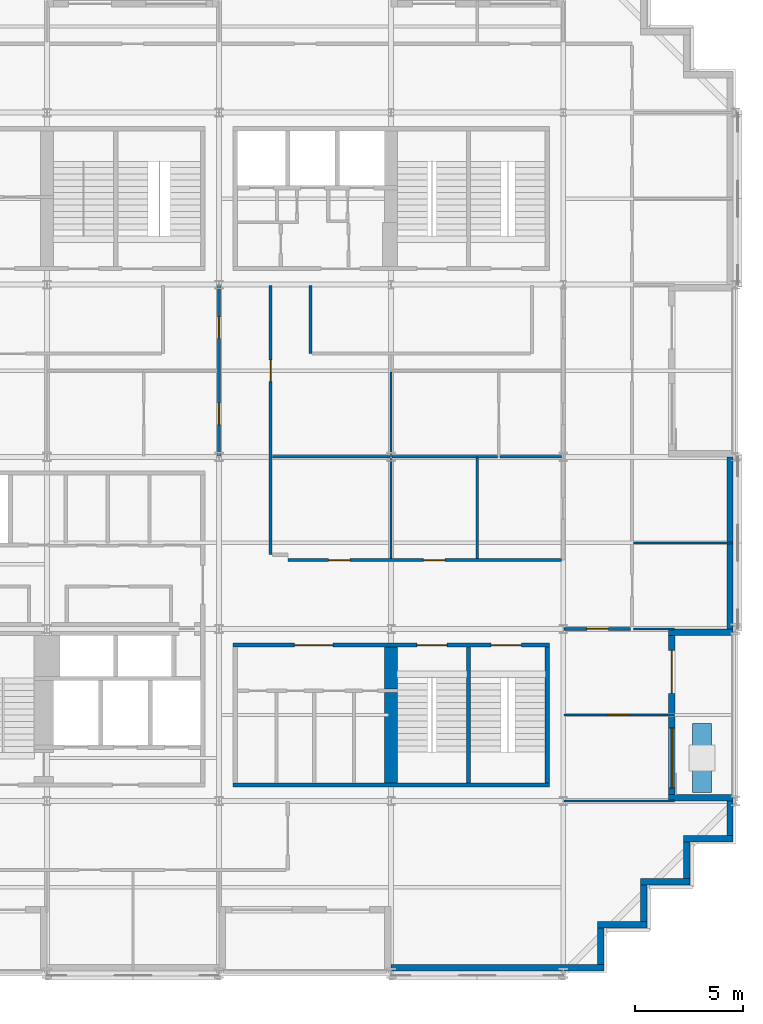
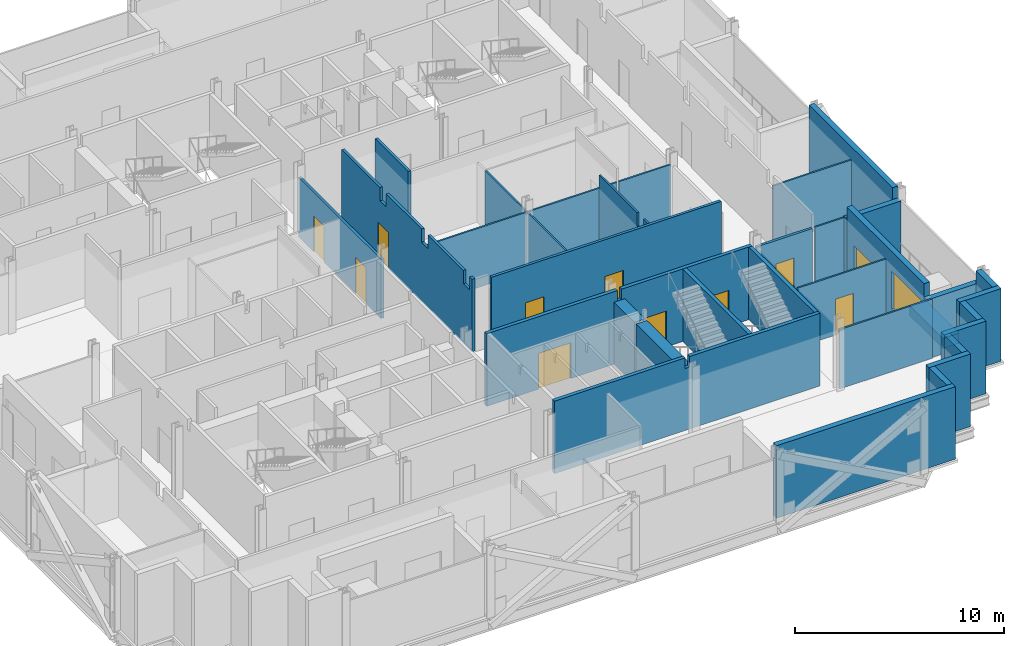
# One storey, part 8 of 15: 35 walls, 11 doors, 1 window, 12 openings.
"""IFC4 building model written with IfcOpenShell, lengths in metres."""

from ifc_helpers import new_model, si_unit, direction, frame, frame_2d, origin, place, context, subcontext, project, spatial, polyline, rectangle, outline, extrude, material, layer, layer_set, type_object, element, fill, save


model = new_model("IFC4")

# Units and contexts
model_context = context("Model", 3, precision=1e-05, world=origin(), true_north=direction((0.0, 1.0)))
body_context = subcontext(model_context, "Body", "Model", "MODEL_VIEW")
ifc_project = project(units=[si_unit("LENGTHUNIT", "METRE"), si_unit("AREAUNIT", "SQUARE_METRE"), si_unit("VOLUMEUNIT", "CUBIC_METRE"), si_unit("PLANEANGLEUNIT", "RADIAN"), si_unit("MASSUNIT", "GRAM", prefix="KILO")], contexts=[model_context])

# Site, building, storey
site_placement = place(None, origin())
site = spatial("IfcSite", under=ifc_project, at=site_placement, CompositionType="ELEMENT")
building_placement = place(site_placement, origin())
building = spatial("IfcBuilding", under=site, at=building_placement, Name="Immortelle Media Tower", CompositionType="ELEMENT")
storey_placement = place(building_placement, frame((0.0, 0.0, 87.60009765625)))
storey = spatial("IfcBuildingStorey", under=building, at=storey_placement, Name="L16", CompositionType="ELEMENT", Elevation=87.60009765625)

# Wall, opening, door
ifc_material_1 = material(Name="Fire-rated gypsum board", Category="gypsum")
ifc_layer_1 = layer(ifc_material_1, 0.012451171875)
ifc_material_2 = material(Name="Steel ASTM A653 SS Gr 50 stud frame with mineral wool", Category="steel")
ifc_layer_2 = layer(ifc_material_2, 0.125)
ifc_layer_3 = layer(ifc_material_1, 0.012451171875)
ifc_layer_set_1 = layer_set([ifc_layer_1, ifc_layer_2, ifc_layer_3], Name="Steel ASTM A653 SS Gr 50 stud frame with mineral wool")
wall_type_1 = type_object("IfcWallType", Name="Corridor wall 150", PredefinedType="PARTITIONING", material=ifc_layer_set_1)
wall_1_placement = place(storey_placement, frame((40.030029296875, 16.0, 0.0), z_axis=(0.0, 0.0, 1.0), x_axis=(1.0, 0.0, 0.0)))
wall_1 = element("IfcWall", 1, at=wall_1_placement, inside=storey, type_object=wall_type_1, Name="Partition L16-011", PredefinedType="PARTITIONING", context=body_context, shape_type="SweptSolid", body=[
    extrude(rectangle(XDim=3.094970703125, YDim=0.14990234375, at=frame_2d((1.54736328125, 0.0))), origin(), (0.0, 0.0, 1.0), 3.469970703125),
])
opening_1_placement = place(wall_1_placement, frame((2.070068359375, 0.0, 0.0), z_axis=(0.0, 0.0, 1.0), x_axis=(-1.0, 0.0, 0.0)))
opening_1 = element("IfcOpeningElement", 2, at=opening_1_placement, cuts=wall_1, Name="Opening N5-F006", PredefinedType="OPENING", context=body_context, shape_type="SweptSolid", body=[
    extrude(rectangle(XDim=1.0, YDim=2.10009765625, at=frame_2d((0.5, 1.050048828125))), frame((0.0, 0.0849609375, 0.0), z_axis=(0.0, -1.0, 0.0), x_axis=(1.0, 0.0, 0.0)), (0.0, 0.0, 1.0), 0.169921875),
])
ifc_material_3 = material(Name="Timber veneered door leaf, galvanised steel frame ASTM A653", Category="steel")
door_type_1 = type_object("IfcDoorType", Name="Room door 1000 x 2100", OperationType="NOTDEFINED", PredefinedType="DOOR", material=ifc_material_3)
door_1_placement = place(opening_1_placement, origin())
door_1 = element("IfcDoor", 3, at=door_1_placement, inside=storey, type_object=door_type_1, Name="Door N5-F006", OperationType="SINGLE_SWING_RIGHT", OverallHeight=2.10009765625, OverallWidth=1.0, PredefinedType="DOOR", context=body_context, shape_type="SweptSolid", body=[
    extrude(rectangle(XDim=1.0, YDim=2.10009765625, at=frame_2d((0.5, 1.050048828125))), frame((0.0, 0.02490234375, 0.0), z_axis=(0.0, -1.0, 0.0), x_axis=(1.0, 0.0, 0.0)), (0.0, 0.0, 1.0), 0.050048828125),
])
fill(opening_1, door_1)

# Wall, openings, doors
wall_2_placement = place(storey_placement, frame((27.199951171875, 19.199951171875, 0.0), z_axis=(0.0, 0.0, 1.0), x_axis=(1.0, 0.0, 0.0)))
wall_2 = element("IfcWall", 4, at=wall_2_placement, inside=storey, type_object=wall_type_1, Name="Partition L16-014", PredefinedType="PARTITIONING", context=body_context, shape_type="SweptSolid", body=[
    extrude(rectangle(XDim=12.72509765625, YDim=0.14990234375, at=frame_2d((6.362548828125, 0.0))), origin(), (0.0, 0.0, 1.0), 4.25),
])
opening_2_placement = place(wall_2_placement, frame((1.89990234375, 0.0, 0.0)))
opening_2 = element("IfcOpeningElement", 5, at=opening_2_placement, cuts=wall_2, Name="Opening N5-F009", PredefinedType="OPENING", context=body_context, shape_type="SweptSolid", body=[
    extrude(rectangle(XDim=1.0, YDim=2.10009765625, at=frame_2d((0.5, 1.050048828125))), frame((0.0, 0.0849609375, 0.0), z_axis=(0.0, -1.0, 0.0), x_axis=(1.0, 0.0, 0.0)), (0.0, 0.0, 1.0), 0.169921875),
])
opening_3_placement = place(wall_2_placement, frame((6.300048828125, 0.0, 0.0)))
opening_3 = element("IfcOpeningElement", 6, at=opening_3_placement, cuts=wall_2, Name="Opening N5-F010", PredefinedType="OPENING", context=body_context, shape_type="SweptSolid", body=[
    extrude(rectangle(XDim=1.0, YDim=2.10009765625, at=frame_2d((0.5, 1.050048828125))), frame((0.0, 0.0849609375, 0.0), z_axis=(0.0, -1.0, 0.0), x_axis=(1.0, 0.0, 0.0)), (0.0, 0.0, 1.0), 0.169921875),
])
door_2_placement = place(opening_2_placement, origin())
door_2 = element("IfcDoor", 7, at=door_2_placement, inside=storey, type_object=door_type_1, Name="Door N5-F009", OperationType="SINGLE_SWING_RIGHT", OverallHeight=2.10009765625, OverallWidth=1.0, PredefinedType="DOOR", context=body_context, shape_type="SweptSolid", body=[
    extrude(rectangle(XDim=1.0, YDim=2.10009765625, at=frame_2d((0.5, 1.050048828125))), frame((0.0, 0.02490234375, 0.0), z_axis=(0.0, -1.0, 0.0), x_axis=(1.0, 0.0, 0.0)), (0.0, 0.0, 1.0), 0.050048828125),
])
fill(opening_2, door_2)
door_3_placement = place(opening_3_placement, origin())
door_3 = element("IfcDoor", 8, at=door_3_placement, inside=storey, type_object=door_type_1, Name="Door N5-F010", OperationType="SINGLE_SWING_RIGHT", OverallHeight=2.10009765625, OverallWidth=1.0, PredefinedType="DOOR", context=body_context, shape_type="SweptSolid", body=[
    extrude(rectangle(XDim=1.0, YDim=2.10009765625, at=frame_2d((0.5, 1.050048828125))), frame((0.0, 0.02490234375, 0.0), z_axis=(0.0, -1.0, 0.0), x_axis=(1.0, 0.0, 0.0)), (0.0, 0.0, 1.0), 0.050048828125),
])
fill(opening_3, door_3)

# Wall, opening, door
wall_3_placement = place(storey_placement, frame((26.39990234375, 19.449951171875, 0.0), z_axis=(0.0, 0.0, 1.0), x_axis=(0.0, 1.0, 0.0)))
wall_3 = element("IfcWall", 9, at=wall_3_placement, inside=storey, type_object=wall_type_1, Name="Partition L16-020", PredefinedType="PARTITIONING", context=body_context, shape_type="SweptSolid", body=[
    extrude(outline(polyline([(0.0, 0.0), (12.52001953125, 0.0), (12.52001953125, 4.25), (8.85009765625, 4.25), (8.847900390625, 3.469970703125), (8.251953125, 3.469970703125), (8.25, 4.25), (4.85009765625, 4.25), (4.847900390625, 3.469970703125), (4.251953125, 3.469970703125), (4.25, 4.25), (0.85009765625, 4.25), (0.847900390625, 3.469970703125), (0.251953125, 3.469970703125), (0.25, 4.25), (0.0, 4.25), (0.0, 0.0)])), frame((0.0, 0.074951171875, 0.0), z_axis=(0.0, -1.0, 0.0), x_axis=(1.0, 0.0, 0.0)), (0.0, 0.0, 1.0), 0.14990234375),
])
opening_4_placement = place(wall_3_placement, frame((9.050048828125, 0.0, 0.0), z_axis=(0.0, 0.0, 1.0), x_axis=(-1.0, 0.0, 0.0)))
opening_4 = element("IfcOpeningElement", 10, at=opening_4_placement, cuts=wall_3, Name="Opening N5-F020", PredefinedType="OPENING", context=body_context, shape_type="SweptSolid", body=[
    extrude(rectangle(XDim=1.0, YDim=2.10009765625, at=frame_2d((0.5, 1.050048828125))), frame((0.0, 0.0849609375, 0.0), z_axis=(0.0, -1.0, 0.0), x_axis=(1.0, 0.0, 0.0)), (0.0, 0.0, 1.0), 0.169921875),
])
door_4_placement = place(opening_4_placement, origin())
door_4 = element("IfcDoor", 11, at=door_4_placement, inside=storey, type_object=door_type_1, Name="Door N5-F020", OperationType="SINGLE_SWING_RIGHT", OverallHeight=2.10009765625, OverallWidth=1.0, PredefinedType="DOOR", context=body_context, shape_type="SweptSolid", body=[
    extrude(rectangle(XDim=1.0, YDim=2.10009765625, at=frame_2d((0.5, 1.050048828125))), frame((0.0, 0.02490234375, 0.0), z_axis=(0.0, -1.0, 0.0), x_axis=(1.0, 0.0, 0.0)), (0.0, 0.0, 1.0), 0.050048828125),
])
fill(opening_4, door_4)

# Wall, openings, doors
wall_4_placement = place(storey_placement, frame((24.0, 24.030029296875, 0.0), z_axis=(0.0, 0.0, 1.0), x_axis=(0.0, 1.0, 0.0)))
wall_4 = element("IfcWall", 12, at=wall_4_placement, inside=storey, type_object=wall_type_1, Name="Partition L16-031", PredefinedType="PARTITIONING", context=body_context, shape_type="SweptSolid", body=[
    extrude(rectangle(XDim=7.93994140625, YDim=0.14990234375, at=frame_2d((3.969970703125, 0.0))), origin(), (0.0, 0.0, 1.0), 3.469970703125),
])
opening_5_placement = place(wall_4_placement, frame((1.469970703125, 0.0, 0.0)))
opening_5 = element("IfcOpeningElement", 13, at=opening_5_placement, cuts=wall_4, Name="Opening N5-F017", PredefinedType="OPENING", context=body_context, shape_type="SweptSolid", body=[
    extrude(rectangle(XDim=1.0, YDim=2.10009765625, at=frame_2d((0.5, 1.050048828125))), frame((0.0, 0.0849609375, 0.0), z_axis=(0.0, -1.0, 0.0), x_axis=(1.0, 0.0, 0.0)), (0.0, 0.0, 1.0), 0.169921875),
])
opening_6_placement = place(wall_4_placement, frame((5.469970703125, 0.0, 0.0)))
opening_6 = element("IfcOpeningElement", 14, at=opening_6_placement, cuts=wall_4, Name="Opening N5-F019", PredefinedType="OPENING", context=body_context, shape_type="SweptSolid", body=[
    extrude(rectangle(XDim=1.0, YDim=2.10009765625, at=frame_2d((0.5, 1.050048828125))), frame((0.0, 0.0849609375, 0.0), z_axis=(0.0, -1.0, 0.0), x_axis=(1.0, 0.0, 0.0)), (0.0, 0.0, 1.0), 0.169921875),
])
door_5_placement = place(opening_5_placement, origin())
door_5 = element("IfcDoor", 15, at=door_5_placement, inside=storey, type_object=door_type_1, Name="Door N5-F017", OperationType="SINGLE_SWING_LEFT", OverallHeight=2.10009765625, OverallWidth=1.0, PredefinedType="DOOR", context=body_context, shape_type="SweptSolid", body=[
    extrude(rectangle(XDim=1.0, YDim=2.10009765625, at=frame_2d((0.5, 1.050048828125))), frame((0.0, 0.02490234375, 0.0), z_axis=(0.0, -1.0, 0.0), x_axis=(1.0, 0.0, 0.0)), (0.0, 0.0, 1.0), 0.050048828125),
])
fill(opening_5, door_5)
door_6_placement = place(opening_6_placement, origin())
door_6 = element("IfcDoor", 16, at=door_6_placement, inside=storey, type_object=door_type_1, Name="Door N5-F019", OperationType="SINGLE_SWING_LEFT", OverallHeight=2.10009765625, OverallWidth=1.0, PredefinedType="DOOR", context=body_context, shape_type="SweptSolid", body=[
    extrude(rectangle(XDim=1.0, YDim=2.10009765625, at=frame_2d((0.5, 1.050048828125))), frame((0.0, 0.02490234375, 0.0), z_axis=(0.0, -1.0, 0.0), x_axis=(1.0, 0.0, 0.0)), (0.0, 0.0, 1.0), 0.050048828125),
])
fill(opening_6, door_6)

# Walls
wall_5_placement = place(storey_placement, frame((28.25, 28.800048828125, 0.0), z_axis=(0.0, 0.0, 1.0), x_axis=(0.0, 1.0, 0.0)))
element("IfcWall", 17, at=wall_5_placement, inside=storey, type_object=wall_type_1, Name="Partition L16-042", PredefinedType="PARTITIONING", context=body_context, shape_type="SweptSolid", body=[
    extrude(rectangle(XDim=3.169921875, YDim=0.14990234375, at=frame_2d((1.5849609375, 0.0))), origin(), (0.0, 0.0, 1.0), 4.25),
])
ifc_material_4 = material(Name="Pale aluminium cladding panel", Category="aluminium")
ifc_layer_4 = layer(ifc_material_4, 0.030029296875)
ifc_layer_5 = layer(ifc_material_2, 0.257568359375)
ifc_material_5 = material(Name="Moisture-resistant gypsum board", Category="gypsum")
ifc_layer_6 = layer(ifc_material_5, 0.012451171875)
ifc_layer_set_2 = layer_set([ifc_layer_4, ifc_layer_5, ifc_layer_6], Name="Steel ASTM A653 SS Gr 50 stud frame with mineral wool")
wall_type_2 = type_object("IfcWallType", Name="Facade wall 300", PredefinedType="SOLIDWALL", material=ifc_layer_set_2)
wall_6_placement = place(storey_placement, frame((32.0, 0.25, 0.0), z_axis=(0.0, 0.0, 1.0), x_axis=(1.0, 0.0, 0.0)))
element("IfcWall", 18, at=wall_6_placement, inside=storey, type_object=wall_type_2, Name="Facade wall L16 S7", PredefinedType="SOLIDWALL", context=body_context, shape_type="SweptSolid", body=[
    extrude(rectangle(XDim=9.89990234375, YDim=0.300048828125, at=frame_2d((4.949951171875, 0.0))), origin(), (0.0, 0.0, 1.0), 4.25),
])
wall_7_placement = place(storey_placement, frame((41.75, 0.39990234375, 0.0), z_axis=(0.0, 0.0, 1.0), x_axis=(0.0, 1.0, 0.0)))
element("IfcWall", 19, at=wall_7_placement, inside=storey, type_object=wall_type_2, Name="Facade wall L16 E8", PredefinedType="SOLIDWALL", context=body_context, shape_type="SweptSolid", body=[
    extrude(rectangle(XDim=1.7001953125, YDim=0.300048828125, at=frame_2d((0.85009765625, 0.0))), origin(), (0.0, 0.0, 1.0), 4.25),
])
wall_8_placement = place(storey_placement, frame((41.60009765625, 2.25, 0.0), z_axis=(0.0, 0.0, 1.0), x_axis=(1.0, 0.0, 0.0)))
element("IfcWall", 20, at=wall_8_placement, inside=storey, type_object=wall_type_2, Name="Facade wall L16 S9", PredefinedType="SOLIDWALL", context=body_context, shape_type="SweptSolid", body=[
    extrude(rectangle(XDim=2.2998046875, YDim=0.300048828125, at=frame_2d((1.14990234375, 0.0))), origin(), (0.0, 0.0, 1.0), 4.25),
])
wall_9_placement = place(storey_placement, frame((43.75, 2.39990234375, 0.0), z_axis=(0.0, 0.0, 1.0), x_axis=(0.0, 1.0, 0.0)))
element("IfcWall", 21, at=wall_9_placement, inside=storey, type_object=wall_type_2, Name="Facade wall L16 E10", PredefinedType="SOLIDWALL", context=body_context, shape_type="SweptSolid", body=[
    extrude(rectangle(XDim=1.7001953125, YDim=0.300048828125, at=frame_2d((0.85009765625, 0.0))), origin(), (0.0, 0.0, 1.0), 4.25),
])
wall_10_placement = place(storey_placement, frame((43.60009765625, 4.25, 0.0), z_axis=(0.0, 0.0, 1.0), x_axis=(1.0, 0.0, 0.0)))
element("IfcWall", 22, at=wall_10_placement, inside=storey, type_object=wall_type_2, Name="Facade wall L16 S11", PredefinedType="SOLIDWALL", context=body_context, shape_type="SweptSolid", body=[
    extrude(rectangle(XDim=2.2998046875, YDim=0.300048828125, at=frame_2d((1.14990234375, 0.0))), origin(), (0.0, 0.0, 1.0), 4.25),
])
wall_11_placement = place(storey_placement, frame((45.75, 4.39990234375, 0.0), z_axis=(0.0, 0.0, 1.0), x_axis=(0.0, 1.0, 0.0)))
element("IfcWall", 23, at=wall_11_placement, inside=storey, type_object=wall_type_2, Name="Facade wall L16 E12", PredefinedType="SOLIDWALL", context=body_context, shape_type="SweptSolid", body=[
    extrude(rectangle(XDim=1.7001953125, YDim=0.300048828125, at=frame_2d((0.85009765625, 0.0))), origin(), (0.0, 0.0, 1.0), 4.25),
])
wall_12_placement = place(storey_placement, frame((45.60009765625, 6.25, 0.0), z_axis=(0.0, 0.0, 1.0), x_axis=(1.0, 0.0, 0.0)))
element("IfcWall", 24, at=wall_12_placement, inside=storey, type_object=wall_type_2, Name="Facade wall L16 S13", PredefinedType="SOLIDWALL", context=body_context, shape_type="SweptSolid", body=[
    extrude(rectangle(XDim=2.2998046875, YDim=0.300048828125, at=frame_2d((1.14990234375, 0.0))), origin(), (0.0, 0.0, 1.0), 4.25),
])
wall_13_placement = place(storey_placement, frame((47.75, 6.39990234375, 0.0), z_axis=(0.0, 0.0, 1.0), x_axis=(0.0, 1.0, 0.0)))
element("IfcWall", 25, at=wall_13_placement, inside=storey, type_object=wall_type_2, Name="Facade wall L16 E14", PredefinedType="SOLIDWALL", context=body_context, shape_type="SweptSolid", body=[
    extrude(rectangle(XDim=1.60009765625, YDim=0.300048828125, at=frame_2d((0.800048828125, 0.0))), origin(), (0.0, 0.0, 1.0), 4.25),
])

# Wall, openings, door, window
wall_14_placement = place(storey_placement, frame((45.050048828125, 8.300048828125, 0.0), z_axis=(0.0, 0.0, 1.0), x_axis=(0.0, 1.0, 0.0)))
wall_14 = element("IfcWall", 26, at=wall_14_placement, inside=storey, type_object=wall_type_2, Name="Loggia wall L16 E14", PredefinedType="SOLIDWALL", context=body_context, shape_type="SweptSolid", body=[
    extrude(rectangle(XDim=7.39990234375, YDim=0.300048828125, at=frame_2d((3.699951171875, 0.0))), origin(), (0.0, 0.0, 1.0), 4.25),
])
opening_7_placement = place(wall_14_placement, frame((0.300048828125, 0.0, 0.89990234375)))
opening_7 = element("IfcOpeningElement", 27, at=opening_7_placement, cuts=wall_14, Name="Opening W1", PredefinedType="OPENING", context=body_context, shape_type="SweptSolid", body=[
    extrude(rectangle(XDim=2.800048828125, YDim=2.199951171875, at=frame_2d((1.39990234375, 1.10009765625))), frame((0.0, 0.159912109375, 0.0), z_axis=(0.0, -1.0, 0.0), x_axis=(1.0, 0.0, 0.0)), (0.0, 0.0, 1.0), 0.320068359375),
])
opening_8_placement = place(wall_14_placement, frame((4.699951171875, 0.0, 0.0)))
opening_8 = element("IfcOpeningElement", 28, at=opening_8_placement, cuts=wall_14, Name="Opening N5-E005", PredefinedType="OPENING", context=body_context, shape_type="SweptSolid", body=[
    extrude(rectangle(XDim=2.0, YDim=2.39990234375, at=frame_2d((1.0, 1.199951171875))), frame((0.0, 0.159912109375, 0.0), z_axis=(0.0, -1.0, 0.0), x_axis=(1.0, 0.0, 0.0)), (0.0, 0.0, 1.0), 0.320068359375),
])
ifc_material_6 = material(Name="Aluminium frame, glazed leaves", Category="aluminium")
door_type_2 = type_object("IfcDoorType", Name="Loggia door 2000 x 2400", OperationType="DOUBLE_DOOR_SINGLE_SWING", PredefinedType="DOOR", material=ifc_material_6)
door_7_placement = place(opening_8_placement, origin())
door_7 = element("IfcDoor", 29, at=door_7_placement, inside=storey, type_object=door_type_2, Name="Door N5-E005", OperationType="DOUBLE_DOOR_SINGLE_SWING", OverallHeight=2.39990234375, OverallWidth=2.0, PredefinedType="DOOR", context=body_context, shape_type="SweptSolid", body=[
    extrude(rectangle(XDim=2.0, YDim=2.39990234375, at=frame_2d((1.0, 1.199951171875))), frame((0.0, 0.02490234375, 0.0), z_axis=(0.0, -1.0, 0.0), x_axis=(1.0, 0.0, 0.0)), (0.0, 0.0, 1.0), 0.050048828125),
])
fill(opening_8, door_7)
ifc_material_7 = material(Name="Aluminium frame", Category="aluminium")
window_type = type_object("IfcWindowType", Name="Window 2800 x 2200", PartitioningType="SINGLE_PANEL", PredefinedType="WINDOW", material=ifc_material_7)
window_placement = place(opening_7_placement, origin())
window = element("IfcWindow", 30, at=window_placement, inside=storey, type_object=window_type, Name="Window L16 L16-R14-B0", OverallHeight=2.199951171875, OverallWidth=2.800048828125, PartitioningType="SINGLE_PANEL", PredefinedType="WINDOW", context=body_context, shape_type="SweptSolid", body=[
    extrude(rectangle(XDim=2.800048828125, YDim=2.199951171875, at=frame_2d((1.39990234375, 1.10009765625))), frame((0.0, 0.030029296875, 0.0), z_axis=(0.0, -1.0, 0.0), x_axis=(1.0, 0.0, 0.0)), (0.0, 0.0, 1.0), 0.06005859375),
])
fill(opening_7, window)

# Walls
wall_15_placement = place(storey_placement, frame((47.89990234375, 8.14990234375, 0.0), z_axis=(0.0, 0.0, 1.0), x_axis=(-1.0, 0.0, 0.0)))
element("IfcWall", 31, at=wall_15_placement, inside=storey, type_object=wall_type_2, Name="Loggia cheek wall L16 E", PredefinedType="SOLIDWALL", context=body_context, shape_type="SweptSolid", body=[
    extrude(rectangle(XDim=3.0, YDim=0.300048828125, at=frame_2d((1.5, 0.0))), origin(), (0.0, 0.0, 1.0), 3.468994140625),
])
wall_16_placement = place(storey_placement, frame((47.89990234375, 15.85009765625, 0.0), z_axis=(0.0, 0.0, 1.0), x_axis=(-1.0, 0.0, 0.0)))
element("IfcWall", 32, at=wall_16_placement, inside=storey, type_object=wall_type_2, Name="Loggia cheek wall L16 E", PredefinedType="SOLIDWALL", context=body_context, shape_type="SweptSolid", body=[
    extrude(rectangle(XDim=3.0, YDim=0.300048828125, at=frame_2d((1.5, 0.0))), origin(), (0.0, 0.0, 1.0), 3.555908203125),
])
wall_17_placement = place(storey_placement, frame((47.75, 16.0, 0.0), z_axis=(0.0, 0.0, 1.0), x_axis=(0.0, 1.0, 0.0)))
element("IfcWall", 33, at=wall_17_placement, inside=storey, type_object=wall_type_2, Name="Facade wall L16 E14", PredefinedType="SOLIDWALL", context=body_context, shape_type="SweptSolid", body=[
    extrude(rectangle(XDim=8.0, YDim=0.300048828125, at=frame_2d((4.0, 0.0))), origin(), (0.0, 0.0, 1.0), 4.25),
])
ifc_material_8 = material(Name="Gypsum board", Category="gypsum")
ifc_layer_7 = layer(ifc_material_8, 0.012451171875)
ifc_layer_8 = layer(ifc_material_2, 0.074951171875)
ifc_layer_9 = layer(ifc_material_8, 0.012451171875)
ifc_layer_set_3 = layer_set([ifc_layer_7, ifc_layer_8, ifc_layer_9], Name="Steel ASTM A653 SS Gr 50 stud frame with mineral wool")
wall_type_3 = type_object("IfcWallType", Name="Partition 100", PredefinedType="PARTITIONING", material=ifc_layer_set_3)
wall_18_placement = place(storey_placement, frame((40.030029296875, 8.0, 0.0), z_axis=(0.0, 0.0, 1.0), x_axis=(1.0, 0.0, 0.0)))
element("IfcWall", 34, at=wall_18_placement, inside=storey, type_object=wall_type_3, Name="Partition L16-008", PredefinedType="PARTITIONING", context=body_context, shape_type="SweptSolid", body=[
    extrude(rectangle(XDim=5.139892578125, YDim=0.10009765625, at=frame_2d((2.56982421875, 0.0))), origin(), (0.0, 0.0, 1.0), 3.469970703125),
])

# Wall, opening, door
wall_19_placement = place(storey_placement, frame((40.030029296875, 12.0, 0.0), z_axis=(0.0, 0.0, 1.0), x_axis=(1.0, 0.0, 0.0)))
wall_19 = element("IfcWall", 35, at=wall_19_placement, inside=storey, type_object=wall_type_3, Name="Partition L16-009", PredefinedType="PARTITIONING", context=body_context, shape_type="SweptSolid", body=[
    extrude(rectangle(XDim=5.139892578125, YDim=0.10009765625, at=frame_2d((2.56982421875, 0.0))), origin(), (0.0, 0.0, 1.0), 3.469970703125),
])
opening_9_placement = place(wall_19_placement, frame((3.070068359375, 0.0, 0.0), z_axis=(0.0, 0.0, 1.0), x_axis=(-1.0, 0.0, 0.0)))
opening_9 = element("IfcOpeningElement", 36, at=opening_9_placement, cuts=wall_19, Name="Opening N5-F007", PredefinedType="OPENING", context=body_context, shape_type="SweptSolid", body=[
    extrude(rectangle(XDim=1.0, YDim=2.10009765625, at=frame_2d((0.5, 1.050048828125))), frame((0.0, 0.06005859375, 0.0), z_axis=(0.0, -1.0, 0.0), x_axis=(1.0, 0.0, 0.0)), (0.0, 0.0, 1.0), 0.1201171875),
])
door_8_placement = place(opening_9_placement, origin())
door_8 = element("IfcDoor", 37, at=door_8_placement, inside=storey, type_object=door_type_1, Name="Door N5-F007", OperationType="SINGLE_SWING_LEFT", OverallHeight=2.10009765625, OverallWidth=1.0, PredefinedType="DOOR", context=body_context, shape_type="SweptSolid", body=[
    extrude(rectangle(XDim=1.0, YDim=2.10009765625, at=frame_2d((0.5, 1.050048828125))), frame((0.0, 0.02490234375, 0.0), z_axis=(0.0, -1.0, 0.0), x_axis=(1.0, 0.0, 0.0)), (0.0, 0.0, 1.0), 0.050048828125),
])
fill(opening_9, door_8)

# Walls
wall_20_placement = place(storey_placement, frame((43.27490234375, 16.0, 0.0), z_axis=(0.0, 0.0, 1.0), x_axis=(1.0, 0.0, 0.0)))
element("IfcWall", 38, at=wall_20_placement, inside=storey, type_object=wall_type_3, Name="Partition L16-012", PredefinedType="PARTITIONING", context=body_context, shape_type="SweptSolid", body=[
    extrude(rectangle(XDim=1.89501953125, YDim=0.10009765625, at=frame_2d((0.947509765625, 0.0))), origin(), (0.0, 0.0, 1.0), 3.469970703125),
])
wall_21_placement = place(storey_placement, frame((32.0, 19.27490234375, 0.0), z_axis=(0.0, 0.0, 1.0), x_axis=(0.0, 1.0, 0.0)))
element("IfcWall", 39, at=wall_21_placement, inside=storey, type_object=wall_type_3, Name="Partition L16-015", PredefinedType="PARTITIONING", context=body_context, shape_type="SweptSolid", body=[
    extrude(rectangle(XDim=4.675048828125, YDim=0.10009765625, at=frame_2d((2.33740234375, 0.0))), origin(), (0.0, 0.0, 1.0), 3.469970703125),
])
wall_22_placement = place(storey_placement, frame((36.0, 19.27490234375, 0.0), z_axis=(0.0, 0.0, 1.0), x_axis=(0.0, 1.0, 0.0)))
element("IfcWall", 40, at=wall_22_placement, inside=storey, type_object=wall_type_3, Name="Partition L16-016", PredefinedType="PARTITIONING", context=body_context, shape_type="SweptSolid", body=[
    extrude(outline(polyline([(0.0, 0.0), (4.675048828125, 0.0), (4.675048828125, 4.25), (1.02490234375, 4.25), (1.02294921875, 3.469970703125), (0.427001953125, 3.469970703125), (0.425048828125, 4.25), (0.0, 4.25), (0.0, 0.0)])), frame((0.0, 0.050048828125, 0.0), z_axis=(0.0, -1.0, 0.0), x_axis=(1.0, 0.0, 0.0)), (0.0, 0.0, 1.0), 0.10009765625),
])
wall_23_placement = place(storey_placement, frame((43.27490234375, 20.0, 0.0), z_axis=(0.0, 0.0, 1.0), x_axis=(1.0, 0.0, 0.0)))
element("IfcWall", 41, at=wall_23_placement, inside=storey, type_object=wall_type_3, Name="Partition L16-021", PredefinedType="PARTITIONING", context=body_context, shape_type="SweptSolid", body=[
    extrude(rectangle(XDim=4.59521484375, YDim=0.10009765625, at=frame_2d((2.297607421875, 0.0))), origin(), (0.0, 0.0, 1.0), 3.469970703125),
])
wall_24_placement = place(storey_placement, frame((26.47509765625, 24.0, 0.0), z_axis=(0.0, 0.0, 1.0), x_axis=(1.0, 0.0, 0.0)))
element("IfcWall", 42, at=wall_24_placement, inside=storey, type_object=wall_type_3, Name="Partition L16-023", PredefinedType="PARTITIONING", context=body_context, shape_type="SweptSolid", body=[
    extrude(rectangle(XDim=5.474853515625, YDim=0.10009765625, at=frame_2d((2.7373046875, 0.0))), origin(), (0.0, 0.0, 1.0), 3.469970703125),
])
for number, where, z_axis, x_axis, name in (
    (43, (32.050048828125, 24.0, 0.0), (0.0, 0.0, 1.0), (1.0, 0.0, 0.0), "Partition L16-024"),
    (44, (32.0, 24.0, 0.0), (0.0, 0.0, 1.0), (0.0, 1.0, 0.0), "Partition L16-025"),
):
    element("IfcWall", number, at=place(storey_placement, frame(where, z_axis=z_axis, x_axis=x_axis)), inside=storey, type_object=wall_type_3, Name=name, PredefinedType="PARTITIONING", context=body_context, shape_type="SweptSolid", body=[
        extrude(rectangle(XDim=3.949951171875, YDim=0.10009765625, at=frame_2d((1.97509765625, 0.0))), origin(), (0.0, 0.0, 1.0), 3.469970703125),
    ])
wall_25_placement = place(storey_placement, frame((36.0, 24.0, 0.0), z_axis=(0.0, 0.0, 1.0), x_axis=(1.0, 0.0, 0.0)))
element("IfcWall", 45, at=wall_25_placement, inside=storey, type_object=wall_type_3, Name="Partition L16-026", PredefinedType="PARTITIONING", context=body_context, shape_type="SweptSolid", body=[
    extrude(rectangle(XDim=0.949951171875, YDim=0.10009765625, at=frame_2d((0.47509765625, 0.0))), origin(), (0.0, 0.0, 1.0), 3.469970703125),
])
wall_26_placement = place(storey_placement, frame((37.050048828125, 24.0, 0.0), z_axis=(0.0, 0.0, 1.0), x_axis=(1.0, 0.0, 0.0)))
element("IfcWall", 46, at=wall_26_placement, inside=storey, type_object=wall_type_3, Name="Partition L16-027", PredefinedType="PARTITIONING", context=body_context, shape_type="SweptSolid", body=[
    extrude(rectangle(XDim=2.875, YDim=0.10009765625, at=frame_2d((1.4375, 0.0))), origin(), (0.0, 0.0, 1.0), 3.469970703125),
])
ifc_layer_10 = layer(ifc_material_4, 0.0029296875)
ifc_material_9 = material(Name="Steel ASTM A572 Gr 50 planter shell", Category="steel")
ifc_layer_11 = layer(ifc_material_9, 0.011962890625)
ifc_material_10 = material(Name="Planting substrate", Category="soil")
ifc_layer_12 = layer(ifc_material_10, 0.873046875)
ifc_layer_13 = layer(ifc_material_9, 0.011962890625)
ifc_layer_set_4 = layer_set([ifc_layer_10, ifc_layer_11, ifc_layer_12, ifc_layer_13], Name="Steel ASTM A572 Gr 50 planter shell")
wall_type_4 = type_object("IfcWallType", Name="Planter wall 900", PredefinedType="SOLIDWALL", material=ifc_layer_set_4)
wall_27_placement = place(storey_placement, frame((46.449951171875, 8.39990234375, 0.0), z_axis=(0.0, 0.0, 1.0), x_axis=(0.0, 1.0, 0.0)))
element("IfcWall", 47, at=wall_27_placement, inside=storey, type_object=wall_type_4, Name="Planter L16 E0", PredefinedType="SOLIDWALL", context=body_context, shape_type="SweptSolid", body=[
    extrude(rectangle(XDim=3.2001953125, YDim=0.89990234375, at=frame_2d((1.60009765625, 0.0))), origin(), (0.0, 0.0, 1.0), 0.599853515625),
])
ifc_material_11 = material(Name="Concrete C60", Category="concrete")
ifc_layer_14 = layer(ifc_material_11, 0.199951171875)
ifc_layer_set_5 = layer_set([ifc_layer_14], Name="Concrete C60")
wall_type_5 = type_object("IfcWallType", Name="Stair shaft wall 200", PredefinedType="PARTITIONING", material=ifc_layer_set_5)
wall_28_placement = place(storey_placement, frame((24.64990234375, 8.75, 0.0), z_axis=(0.0, 0.0, 1.0), x_axis=(1.0, 0.0, 0.0)))
element("IfcWall", 48, at=wall_28_placement, inside=storey, type_object=wall_type_5, Name="Stair shaft wall SE", PredefinedType="PARTITIONING", context=body_context, shape_type="SweptSolid", body=[
    extrude(outline(polyline([(0.0, 0.0), (14.7001953125, 0.0), (14.699951171875, 4.25), (7.469482421875, 4.25), (7.468505859375, 3.6318359375), (7.2314453125, 3.6318359375), (7.23046875, 4.25), (0.0, 4.25), (0.0, 0.0)])), frame((0.0, 0.10009765625, 0.0), z_axis=(0.0, -1.0, 0.0), x_axis=(1.0, 0.0, 0.0)), (0.0, 0.0, 1.0), 0.199951171875),
])

# Wall, openings, doors
wall_29_placement = place(storey_placement, frame((24.64990234375, 15.25, 0.0), z_axis=(0.0, 0.0, 1.0), x_axis=(1.0, 0.0, 0.0)))
wall_29 = element("IfcWall", 49, at=wall_29_placement, inside=storey, type_object=wall_type_5, Name="Stair shaft wall SE", PredefinedType="PARTITIONING", context=body_context, shape_type="SweptSolid", body=[
    extrude(outline(polyline([(0.0, 0.0), (14.7001953125, 0.0), (14.699951171875, 4.25), (7.469482421875, 4.25), (7.468505859375, 3.6318359375), (7.2314453125, 3.6318359375), (7.23046875, 4.25), (0.0, 4.25), (0.0, 0.0)])), frame((0.0, 0.10009765625, 0.0), z_axis=(0.0, -1.0, 0.0), x_axis=(1.0, 0.0, 0.0)), (0.0, 0.0, 1.0), 0.199951171875),
])
opening_10_placement = place(wall_29_placement, frame((2.85009765625, 0.0, 0.0)))
opening_10 = element("IfcOpeningElement", 50, at=opening_10_placement, cuts=wall_29, Name="Opening N5-K019", PredefinedType="OPENING", context=body_context, shape_type="SweptSolid", body=[
    extrude(rectangle(XDim=1.800048828125, YDim=2.10009765625, at=frame_2d((0.89990234375, 1.050048828125))), frame((0.0, 0.10986328125, 0.0), z_axis=(0.0, -1.0, 0.0), x_axis=(1.0, 0.0, 0.0)), (0.0, 0.0, 1.0), 0.219970703125),
])
opening_11_placement = place(wall_29_placement, frame((9.949951171875, 0.0, 0.0), z_axis=(0.0, 0.0, 1.0), x_axis=(-1.0, 0.0, 0.0)))
opening_11 = element("IfcOpeningElement", 51, at=opening_11_placement, cuts=wall_29, Name="Opening N5-K022", PredefinedType="OPENING", context=body_context, shape_type="SweptSolid", body=[
    extrude(rectangle(XDim=1.39990234375, YDim=2.10009765625, at=frame_2d((0.699951171875, 1.050048828125))), frame((0.0, 0.10986328125, 0.0), z_axis=(0.0, -1.0, 0.0), x_axis=(1.0, 0.0, 0.0)), (0.0, 0.0, 1.0), 0.219970703125),
])
opening_12_placement = place(wall_29_placement, frame((13.39990234375, 0.0, 0.0), z_axis=(0.0, 0.0, 1.0), x_axis=(-1.0, 0.0, 0.0)))
opening_12 = element("IfcOpeningElement", 52, at=opening_12_placement, cuts=wall_29, Name="Opening N5-K023", PredefinedType="OPENING", context=body_context, shape_type="SweptSolid", body=[
    extrude(rectangle(XDim=1.39990234375, YDim=2.10009765625, at=frame_2d((0.699951171875, 1.050048828125))), frame((0.0, 0.10986328125, 0.0), z_axis=(0.0, -1.0, 0.0), x_axis=(1.0, 0.0, 0.0)), (0.0, 0.0, 1.0), 0.219970703125),
])
ifc_material_12 = material(Name="Galvanised steel door leaf and frame ASTM A653", Category="steel")
door_type_3 = type_object("IfcDoorType", Name="Lift lobby door 1800 x 2100", OperationType="DOUBLE_DOOR_SINGLE_SWING", PredefinedType="NOTDEFINED", material=ifc_material_12)
door_9_placement = place(opening_10_placement, origin())
door_9 = element("IfcDoor", 53, at=door_9_placement, inside=storey, type_object=door_type_3, Name="Lift lobby N5-K019", OperationType="DOUBLE_DOOR_SINGLE_SWING", OverallHeight=2.10009765625, OverallWidth=1.800048828125, PredefinedType="NOTDEFINED", context=body_context, shape_type="SweptSolid", body=[
    extrude(rectangle(XDim=1.800048828125, YDim=2.10009765625, at=frame_2d((0.89990234375, 1.050048828125))), frame((0.0, 0.02490234375, 0.0), z_axis=(0.0, -1.0, 0.0), x_axis=(1.0, 0.0, 0.0)), (0.0, 0.0, 1.0), 0.050048828125),
])
fill(opening_10, door_9)
door_type_4 = type_object("IfcDoorType", Name="Stair door 1400 x 2100", OperationType="DOUBLE_DOOR_SINGLE_SWING", PredefinedType="NOTDEFINED", material=ifc_material_12)
door_10_placement = place(opening_11_placement, origin())
door_10 = element("IfcDoor", 54, at=door_10_placement, inside=storey, type_object=door_type_4, Name="Stair N5-K022", OperationType="DOUBLE_DOOR_SINGLE_SWING", OverallHeight=2.10009765625, OverallWidth=1.39990234375, PredefinedType="NOTDEFINED", context=body_context, shape_type="SweptSolid", body=[
    extrude(rectangle(XDim=1.39990234375, YDim=2.10009765625, at=frame_2d((0.699951171875, 1.050048828125))), frame((0.0, 0.02490234375, 0.0), z_axis=(0.0, -1.0, 0.0), x_axis=(1.0, 0.0, 0.0)), (0.0, 0.0, 1.0), 0.050048828125),
])
fill(opening_11, door_10)
door_11_placement = place(opening_12_placement, origin())
door_11 = element("IfcDoor", 55, at=door_11_placement, inside=storey, type_object=door_type_4, Name="Stair N5-K023", OperationType="DOUBLE_DOOR_SINGLE_SWING", OverallHeight=2.10009765625, OverallWidth=1.39990234375, PredefinedType="NOTDEFINED", context=body_context, shape_type="SweptSolid", body=[
    extrude(rectangle(XDim=1.39990234375, YDim=2.10009765625, at=frame_2d((0.699951171875, 1.050048828125))), frame((0.0, 0.02490234375, 0.0), z_axis=(0.0, -1.0, 0.0), x_axis=(1.0, 0.0, 0.0)), (0.0, 0.0, 1.0), 0.050048828125),
])
fill(opening_12, door_11)

# Walls
for number, where, z_axis, x_axis, name in (
    (56, (35.60009765625, 8.85009765625, 0.0), (0.0, 0.0, 1.0), (0.0, 1.0, 0.0), "Stair shaft wall SE"),
    (57, (39.25, 8.85009765625, 0.0), (0.0, 0.0, 1.0), (0.0, 1.0, 0.0), "Stair shaft wall SE"),
):
    element("IfcWall", number, at=place(storey_placement, frame(where, z_axis=z_axis, x_axis=x_axis)), inside=storey, type_object=wall_type_5, Name=name, PredefinedType="PARTITIONING", context=body_context, shape_type="SweptSolid", body=[
        extrude(rectangle(XDim=6.2998046875, YDim=0.199951171875, at=frame_2d((3.14990234375, 0.0))), origin(), (0.0, 0.0, 1.0), 4.25),
    ])
ifc_layer_15 = layer(ifc_material_11, 0.60009765625)
ifc_layer_set_6 = layer_set([ifc_layer_15], Name="Concrete C60")
wall_type_6 = type_object("IfcWallType", Name="Stair shaft wall 600", PredefinedType="PARTITIONING", material=ifc_layer_set_6)
wall_30_placement = place(storey_placement, frame((32.0, 8.85009765625, 0.0), z_axis=(0.0, 0.0, 1.0), x_axis=(0.0, 1.0, 0.0)))
element("IfcWall", 58, at=wall_30_placement, inside=storey, type_object=wall_type_6, Name="Stair shaft wall SE", PredefinedType="PARTITIONING", context=body_context, shape_type="SweptSolid", body=[
    extrude(rectangle(XDim=4.199951171875, YDim=0.60009765625, at=frame_2d((2.10009765625, 0.0))), origin(), (0.0, 0.0, 1.0), 3.6318359375),
])
wall_31_placement = place(storey_placement, frame((32.0, 13.199951171875, 0.0), z_axis=(0.0, 0.0, 1.0), x_axis=(0.0, 1.0, 0.0)))
element("IfcWall", 59, at=wall_31_placement, inside=storey, type_object=wall_type_6, Name="Stair shaft wall SE", PredefinedType="PARTITIONING", context=body_context, shape_type="SweptSolid", body=[
    extrude(rectangle(XDim=1.949951171875, YDim=0.60009765625, at=frame_2d((0.97509765625, 0.0))), origin(), (0.0, 0.0, 1.0), 3.6318359375),
])

save(model, "model.ifc")
